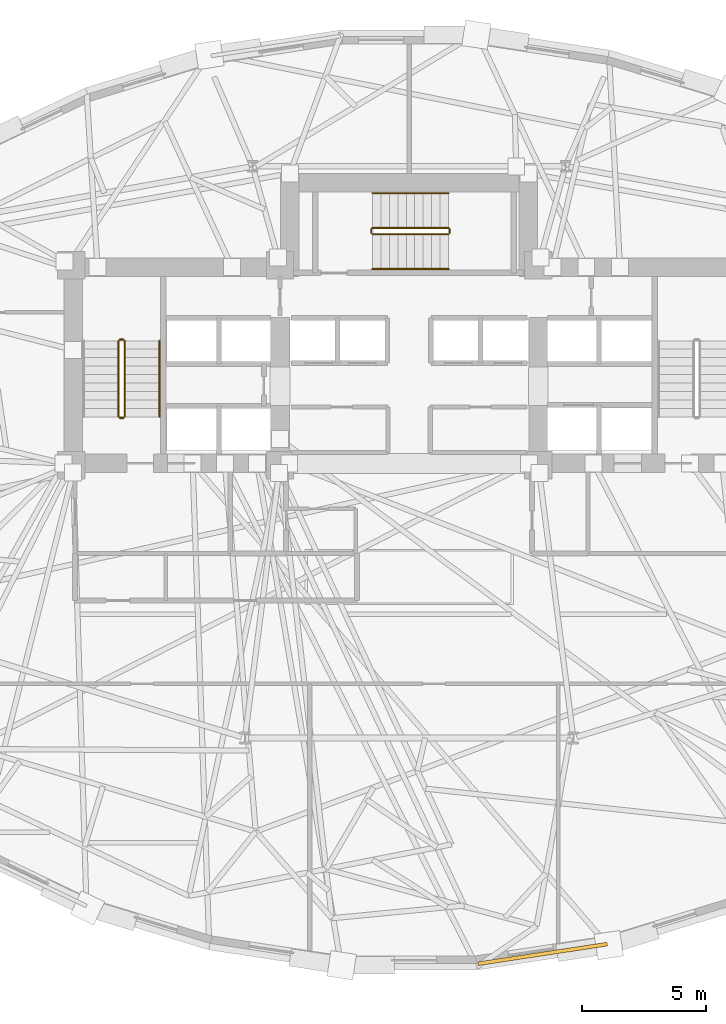
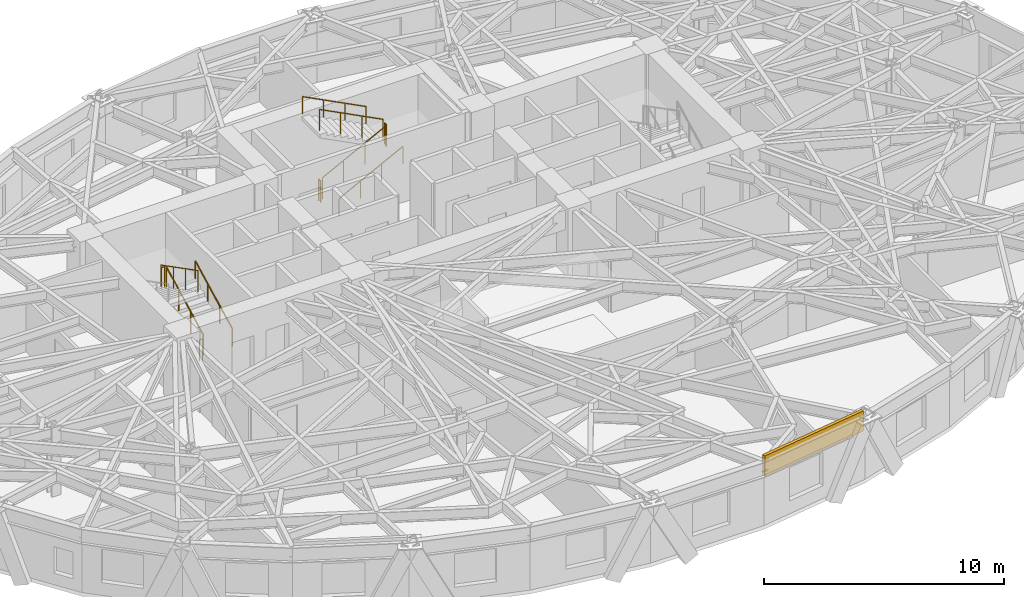
# One storey, part 12 of 14: 11 railings, 1 covering.
"""IFC4 building model written with IfcOpenShell, lengths in metres."""

from ifc_helpers import new_model, si_unit, direction, frame, origin, origin_2d, place, context, subcontext, project, spatial, rectangle, circle, extrude, material, layer, layer_set, type_object, element, save


model = new_model("IFC4")

# Units and contexts
model_context = context("Model", 3, precision=1e-05, world=origin(), true_north=direction((0.0, 1.0)))
body_context = subcontext(model_context, "Body", "Model", "MODEL_VIEW")
ifc_project = project(units=[si_unit("LENGTHUNIT", "METRE"), si_unit("AREAUNIT", "SQUARE_METRE"), si_unit("VOLUMEUNIT", "CUBIC_METRE"), si_unit("PLANEANGLEUNIT", "RADIAN"), si_unit("MASSUNIT", "GRAM", prefix="KILO")], contexts=[model_context])

# Site, building, storey
site_placement = place(None, origin())
site = spatial("IfcSite", under=ifc_project, at=site_placement, CompositionType="ELEMENT")
building_placement = place(site_placement, origin())
building = spatial("IfcBuilding", under=site, at=building_placement, Name="Keldmark Tower", CompositionType="ELEMENT")
storey_placement = place(building_placement, frame((0.0, 0.0, 100.10009765625)))
storey = spatial("IfcBuildingStorey", under=building, at=storey_placement, Name="L26", CompositionType="ELEMENT", Elevation=100.10009765625)

# Covering
ifc_material_1 = material(Name="Honed Kasota Buff Dolomitic Limestone", Category="masonry")
ifc_layer = layer(ifc_material_1, 0.074951171875)
ifc_layer_set = layer_set([ifc_layer], Name="Honed Kasota Buff Dolomitic Limestone")
covering_type = type_object("IfcCoveringType", Name="Kasota Buff Limestone Spandrel Cladding Band", PredefinedType="CLADDING", material=ifc_layer_set)
covering_placement = place(storey_placement, frame((5.37109375, -18.275146484375, 2.45166015625), z_axis=(0.0, 0.0, 1.0), x_axis=(0.988622885275, 0.15041539386, 0.0)))
element("IfcCovering", 1, at=covering_placement, inside=storey, type_object=covering_type, Name="L26 Kasota Limestone Spandrel Band 25", PredefinedType="CLADDING", context=body_context, shape_type="SweptSolid", body=[
    extrude(rectangle(XDim=5.257080078125, YDim=0.14990234375, at=origin_2d()), origin(), (0.0, 0.0, 1.0), 1.028076171875),
])

# Railings
ifc_material_2 = material(Name="Painted Steel ASTM A500 Grade B", Category="steel")
railing_type_1 = type_object("IfcRailingType", Name="Painted Steel Stair Well Guard 1100 mm", PredefinedType="GUARDRAIL", material=ifc_material_2)
railing_1_placement = place(storey_placement, frame((-11.449951171875, 3.35009765625, 0.1748046875)))
element("IfcRailing", 2, at=railing_1_placement, inside=storey, type_object=railing_type_1, Name="L26 ST1 stair guard 1", PredefinedType="GUARDRAIL", context=body_context, shape_type="SweptSolid", body=[
    extrude(circle(Radius=0.02392578125, at=origin_2d()), frame((0.0, 0.0, 1.076171875), z_axis=(0.0, 0.889101422983, 0.457710235465), x_axis=(-1.0, 0.0, 0.0)), (0.0, 0.0, 1.0), 3.44140625),
    extrude(circle(Radius=0.02099609375, at=origin_2d()), origin(), (0.0, 0.0, 1.0), 1.052001953125),
    extrude(circle(Radius=0.02099609375, at=origin_2d()), frame((0.0, 1.02001953125, 0.525146484375)), (0.0, 0.0, 1.0), 1.052001953125),
    extrude(circle(Radius=0.02099609375, at=origin_2d()), frame((0.0, 2.039794921875, 1.050048828125)), (0.0, 0.0, 1.0), 1.052001953125),
    extrude(circle(Radius=0.02099609375, at=origin_2d()), frame((0.0, 3.059814453125, 1.5751953125)), (0.0, 0.0, 1.0), 1.052001953125),
])
railing_2_placement = place(storey_placement, frame((-11.5, 6.4599609375, 1.75)))
element("IfcRailing", 3, at=railing_2_placement, inside=storey, type_object=railing_type_1, Name="L26 ST1 stair guard 2", PredefinedType="GUARDRAIL", context=body_context, shape_type="SweptSolid", body=[
    extrude(circle(Radius=0.02392578125, at=origin_2d()), frame((0.0, 0.0, 1.076171875), z_axis=(-1.0, 0.0, 0.0), x_axis=(0.0, -1.0, 0.0)), (0.0, 0.0, 1.0), 0.14990234375),
    extrude(circle(Radius=0.02099609375, at=origin_2d()), origin(), (0.0, 0.0, 1.0), 1.052001953125),
    extrude(circle(Radius=0.02099609375, at=origin_2d()), frame((-0.14990234375, 0.0, 0.0)), (0.0, 0.0, 1.0), 1.052001953125),
])
railing_3_placement = place(storey_placement, frame((-11.699951171875, 6.409912109375, 1.9248046875)))
element("IfcRailing", 4, at=railing_3_placement, inside=storey, type_object=railing_type_1, Name="L26 ST1 stair guard 3", PredefinedType="GUARDRAIL", context=body_context, shape_type="SweptSolid", body=[
    extrude(circle(Radius=0.02392578125, at=origin_2d()), frame((0.0, 0.0, 1.076171875), z_axis=(0.0, -0.889101422983, 0.457710235465), x_axis=(1.0, 0.0, 0.0)), (0.0, 0.0, 1.0), 3.44140625),
    extrude(circle(Radius=0.02099609375, at=origin_2d()), origin(), (0.0, 0.0, 1.0), 1.052001953125),
    extrude(circle(Radius=0.02099609375, at=origin_2d()), frame((0.0, -1.02001953125, 0.525146484375)), (0.0, 0.0, 1.0), 1.052001953125),
    extrude(circle(Radius=0.02099609375, at=origin_2d()), frame((0.0, -2.039794921875, 1.050048828125)), (0.0, 0.0, 1.0), 1.052001953125),
    extrude(circle(Radius=0.02099609375, at=origin_2d()), frame((0.0, -3.059814453125, 1.5751953125)), (0.0, 0.0, 1.0), 1.052001953125),
])
railing_4_placement = place(storey_placement, frame((-11.5, 3.300048828125, 0.0)))
element("IfcRailing", 5, at=railing_4_placement, inside=storey, type_object=railing_type_1, Name="L26 ST1 stair guard 4", PredefinedType="GUARDRAIL", context=body_context, shape_type="SweptSolid", body=[
    extrude(circle(Radius=0.02392578125, at=origin_2d()), frame((0.0, 0.0, 1.076171875), z_axis=(-1.0, 0.0, 0.0), x_axis=(0.0, -1.0, 0.0)), (0.0, 0.0, 1.0), 0.14990234375),
    extrude(circle(Radius=0.02099609375, at=origin_2d()), origin(), (0.0, 0.0, 1.0), 1.052001953125),
    extrude(circle(Radius=0.02099609375, at=origin_2d()), frame((-0.14990234375, 0.0, 0.0)), (0.0, 0.0, 1.0), 1.052001953125),
])
railing_5_placement = place(storey_placement, frame((-1.47509765625, 10.699951171875, 0.1748046875)))
element("IfcRailing", 6, at=railing_5_placement, inside=storey, type_object=railing_type_1, Name="L26 ST3 stair guard 1", PredefinedType="GUARDRAIL", context=body_context, shape_type="SweptSolid", body=[
    extrude(circle(Radius=0.02392578125, at=origin_2d()), frame((0.0, 0.0, 1.076171875), z_axis=(0.889116283586, 0.0, 0.457681367616), x_axis=(0.0, 1.0, 0.0)), (0.0, 0.0, 1.0), 3.441650390625),
    extrude(circle(Radius=0.02099609375, at=origin_2d()), origin(), (0.0, 0.0, 1.0), 1.052001953125),
    extrude(circle(Radius=0.02099609375, at=origin_2d()), frame((1.02001953125, 0.0, 0.525146484375)), (0.0, 0.0, 1.0), 1.052001953125),
    extrude(circle(Radius=0.02099609375, at=origin_2d()), frame((2.0400390625, 0.0, 1.050048828125)), (0.0, 0.0, 1.0), 1.052001953125),
    extrude(circle(Radius=0.02099609375, at=origin_2d()), frame((3.06005859375, 0.0, 1.5751953125)), (0.0, 0.0, 1.0), 1.052001953125),
])
railing_6_placement = place(storey_placement, frame((1.635009765625, 10.75, 1.75)))
element("IfcRailing", 7, at=railing_6_placement, inside=storey, type_object=railing_type_1, Name="L26 ST3 stair guard 2", PredefinedType="GUARDRAIL", context=body_context, shape_type="SweptSolid", body=[
    extrude(circle(Radius=0.02392578125, at=origin_2d()), frame((0.0, 0.0, 1.076171875), z_axis=(0.0, 1.0, 0.0), x_axis=(-1.0, 0.0, 0.0)), (0.0, 0.0, 1.0), 0.14990234375),
    extrude(circle(Radius=0.02099609375, at=origin_2d()), origin(), (0.0, 0.0, 1.0), 1.052001953125),
    extrude(circle(Radius=0.02099609375, at=origin_2d()), frame((0.0, 0.14990234375, 0.0)), (0.0, 0.0, 1.0), 1.052001953125),
])
railing_7_placement = place(storey_placement, frame((1.5849609375, 10.949951171875, 1.9248046875)))
element("IfcRailing", 8, at=railing_7_placement, inside=storey, type_object=railing_type_1, Name="L26 ST3 stair guard 3", PredefinedType="GUARDRAIL", context=body_context, shape_type="SweptSolid", body=[
    extrude(circle(Radius=0.02392578125, at=origin_2d()), frame((0.0, 0.0, 1.076171875), z_axis=(-0.889116283586, 0.0, 0.457681367616), x_axis=(0.0, -1.0, 0.0)), (0.0, 0.0, 1.0), 3.441650390625),
    extrude(circle(Radius=0.02099609375, at=origin_2d()), origin(), (0.0, 0.0, 1.0), 1.052001953125),
    extrude(circle(Radius=0.02099609375, at=origin_2d()), frame((-1.02001953125, 0.0, 0.525146484375)), (0.0, 0.0, 1.0), 1.052001953125),
    extrude(circle(Radius=0.02099609375, at=origin_2d()), frame((-2.0400390625, 0.0, 1.050048828125)), (0.0, 0.0, 1.0), 1.052001953125),
    extrude(circle(Radius=0.02099609375, at=origin_2d()), frame((-3.06005859375, 0.0, 1.5751953125)), (0.0, 0.0, 1.0), 1.052001953125),
])
railing_8_placement = place(storey_placement, frame((-1.52490234375, 10.75, 0.0)))
element("IfcRailing", 9, at=railing_8_placement, inside=storey, type_object=railing_type_1, Name="L26 ST3 stair guard 4", PredefinedType="GUARDRAIL", context=body_context, shape_type="SweptSolid", body=[
    extrude(circle(Radius=0.02392578125, at=origin_2d()), frame((0.0, 0.0, 1.076171875), z_axis=(0.0, 1.0, 0.0), x_axis=(-1.0, 0.0, 0.0)), (0.0, 0.0, 1.0), 0.14990234375),
    extrude(circle(Radius=0.02099609375, at=origin_2d()), origin(), (0.0, 0.0, 1.0), 1.052001953125),
    extrude(circle(Radius=0.02099609375, at=origin_2d()), frame((0.0, 0.14990234375, 0.0)), (0.0, 0.0, 1.0), 1.052001953125),
])
ifc_material_3 = material(Name="Stainless Steel AISI 316L", Category="steel")
railing_type_2 = type_object("IfcRailingType", Name="Stainless Steel Stair Handrail 900 mm", PredefinedType="HANDRAIL", material=ifc_material_3)
railing_9_placement = place(storey_placement, frame((-10.050048828125, 3.35009765625, 0.1748046875)))
element("IfcRailing", 10, at=railing_9_placement, inside=storey, type_object=railing_type_2, Name="L26 ST1 stair handrail 1", PredefinedType="HANDRAIL", context=body_context, shape_type="SweptSolid", body=[
    extrude(circle(Radius=0.02392578125, at=origin_2d()), frame((0.0, 0.0, 0.8759765625), z_axis=(0.0, 0.889101422983, 0.457710235465), x_axis=(-1.0, 0.0, 0.0)), (0.0, 0.0, 1.0), 3.44140625),
    extrude(circle(Radius=0.02099609375, at=origin_2d()), origin(), (0.0, 0.0, 1.0), 0.851806640625),
    extrude(circle(Radius=0.02099609375, at=origin_2d()), frame((0.0, 1.02001953125, 0.525146484375)), (0.0, 0.0, 1.0), 0.851806640625),
    extrude(circle(Radius=0.02099609375, at=origin_2d()), frame((0.0, 2.039794921875, 1.050048828125)), (0.0, 0.0, 1.0), 0.851806640625),
    extrude(circle(Radius=0.02099609375, at=origin_2d()), frame((0.0, 3.059814453125, 1.5751953125)), (0.0, 0.0, 1.0), 0.851806640625),
])
railing_10_placement = place(storey_placement, frame((-1.47509765625, 9.300048828125, 0.1748046875)))
element("IfcRailing", 11, at=railing_10_placement, inside=storey, type_object=railing_type_2, Name="L26 ST3 stair handrail 1", PredefinedType="HANDRAIL", context=body_context, shape_type="SweptSolid", body=[
    extrude(circle(Radius=0.02392578125, at=origin_2d()), frame((0.0, 0.0, 0.8759765625), z_axis=(0.889116283586, 0.0, 0.457681367616), x_axis=(0.0, 1.0, 0.0)), (0.0, 0.0, 1.0), 3.441650390625),
    extrude(circle(Radius=0.02099609375, at=origin_2d()), origin(), (0.0, 0.0, 1.0), 0.851806640625),
    extrude(circle(Radius=0.02099609375, at=origin_2d()), frame((1.02001953125, 0.0, 0.525146484375)), (0.0, 0.0, 1.0), 0.851806640625),
    extrude(circle(Radius=0.02099609375, at=origin_2d()), frame((2.0400390625, 0.0, 1.050048828125)), (0.0, 0.0, 1.0), 0.851806640625),
    extrude(circle(Radius=0.02099609375, at=origin_2d()), frame((3.06005859375, 0.0, 1.5751953125)), (0.0, 0.0, 1.0), 0.851806640625),
])
railing_11_placement = place(storey_placement, frame((1.5849609375, 12.35009765625, 1.9248046875)))
element("IfcRailing", 12, at=railing_11_placement, inside=storey, type_object=railing_type_2, Name="L26 ST3 stair handrail 2", PredefinedType="HANDRAIL", context=body_context, shape_type="SweptSolid", body=[
    extrude(circle(Radius=0.02392578125, at=origin_2d()), frame((0.0, 0.0, 0.8759765625), z_axis=(-0.889116283586, 0.0, 0.457681367616), x_axis=(0.0, -1.0, 0.0)), (0.0, 0.0, 1.0), 3.441650390625),
    extrude(circle(Radius=0.02099609375, at=origin_2d()), origin(), (0.0, 0.0, 1.0), 0.851806640625),
    extrude(circle(Radius=0.02099609375, at=origin_2d()), frame((-1.02001953125, 0.0, 0.525146484375)), (0.0, 0.0, 1.0), 0.851806640625),
    extrude(circle(Radius=0.02099609375, at=origin_2d()), frame((-2.0400390625, 0.0, 1.050048828125)), (0.0, 0.0, 1.0), 0.851806640625),
    extrude(circle(Radius=0.02099609375, at=origin_2d()), frame((-3.06005859375, 0.0, 1.5751953125)), (0.0, 0.0, 1.0), 0.851806640625),
])

save(model, "model.ifc")
